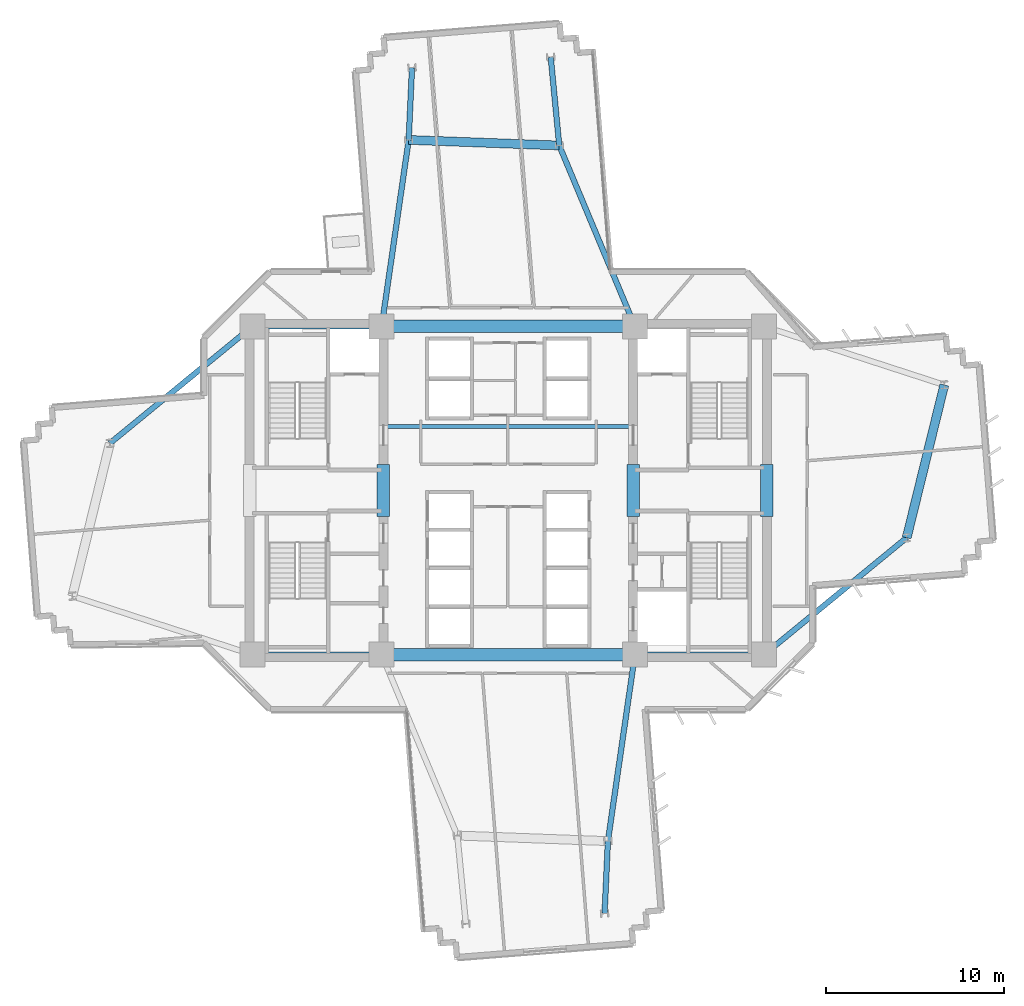
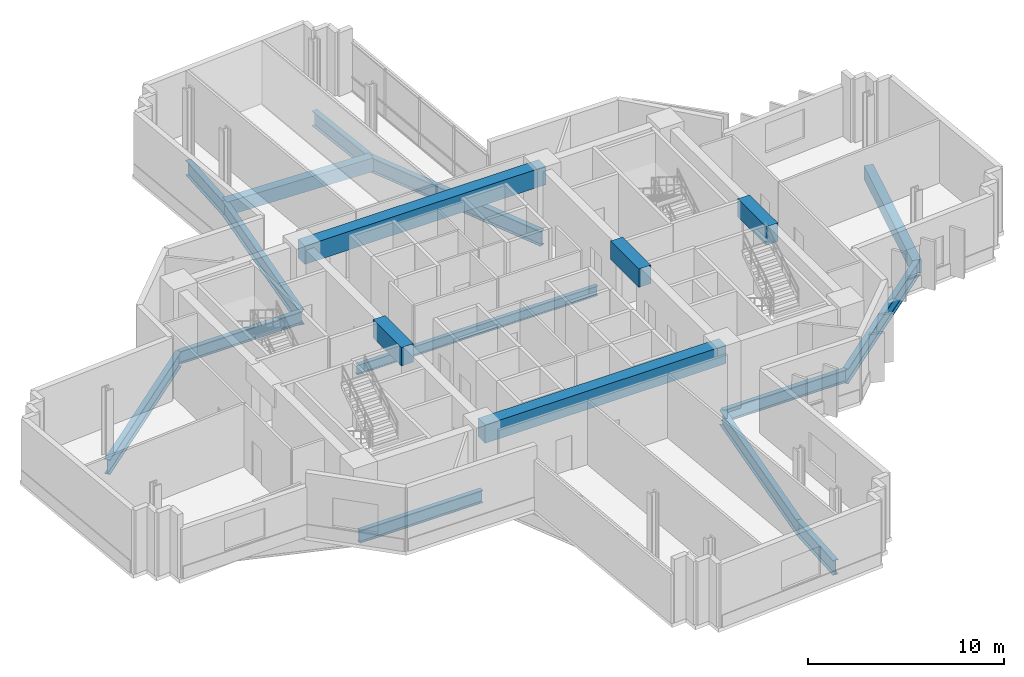
# One storey, part 3 of 15: 19 beams.
"""IFC4 building model written with IfcOpenShell, lengths in metres."""

from ifc_helpers import new_model, si_unit, direction, frame, origin, origin_2d, place, context, subcontext, project, spatial, rectangle, i_section, extrude, source, transform, mapped, material, material_profile, profile_set, type_object, element, save


model = new_model("IFC4")

# Units and contexts
model_context = context("Model", 3, precision=1e-05, world=origin(), true_north=direction((0.0, 1.0)))
body_context = subcontext(model_context, "Body", "Model", "MODEL_VIEW")
ifc_project = project(units=[si_unit("LENGTHUNIT", "METRE"), si_unit("AREAUNIT", "SQUARE_METRE"), si_unit("VOLUMEUNIT", "CUBIC_METRE"), si_unit("PLANEANGLEUNIT", "RADIAN"), si_unit("MASSUNIT", "GRAM", prefix="KILO")], contexts=[model_context])

# Site, building, storey
site_placement = place(None, origin())
site = spatial("IfcSite", under=ifc_project, at=site_placement, CompositionType="ELEMENT")
building_placement = place(site_placement, origin())
building = spatial("IfcBuilding", under=site, at=building_placement, Name="Zahravan Cultural Tower", CompositionType="ELEMENT")
storey_placement = place(building_placement, frame((0.0, 0.0, 87.89990234375)))
storey = spatial("IfcBuildingStorey", under=building, at=storey_placement, Name="L19", CompositionType="ELEMENT", Elevation=87.89990234375)

# Beams
ifc_material_1 = material(Name="Concrete C50/60", Category="concrete")
ifc_material_profile_1 = material_profile(ifc_material_1, rectangle(XDim=0.699951171875, YDim=1.14990234375, at=origin_2d()), Name="RC700X1150")
ifc_profile_set_1 = profile_set([ifc_material_profile_1], Name="Concrete C50/60")
beam_type_1 = type_object("IfcBeamType", Name="BM-LN-RC700X1150", PredefinedType="LINTEL", material=ifc_profile_set_1)
shared_shape_1 = source(origin(), body_context, "Body", "SweptSolid", [
    extrude(rectangle(XDim=0.699951171875, YDim=1.14990234375, at=origin_2d()), origin(), (0.0, 0.0, 1.0), 14.2001953125),
])
for number, where, z_axis, x_axis, name in (
    (1, (28.89990234375, 17.800048828125, 3.375), (1.0, 0.0, 0.0), (0.0, 1.0, 0.0), "L19 Beam LN-L19-S"),
    (2, (28.89990234375, 36.199951171875, 3.375), (1.0, 0.0, 0.0), (0.0, 1.0, 0.0), "L19 Beam LN-L19-N"),
):
    element("IfcBeam", number, at=place(storey_placement, frame(where, z_axis=z_axis, x_axis=x_axis)), inside=storey, type_object=beam_type_1, Name=name, PredefinedType="LINTEL", context=body_context, shape_type="MappedRepresentation", body=[
        mapped(shared_shape_1, transform((0.0, 0.0, 0.0), x_axis=(1.0, 0.0, 0.0), y_axis=(0.0, 1.0, 0.0), z_axis=(0.0, 0.0, 1.0), scale=1.0)),
    ])
shared_shape_2 = source(origin(), body_context, "Body", "SweptSolid", [
    extrude(rectangle(XDim=0.699951171875, YDim=1.14990234375, at=origin_2d()), origin(), (0.0, 0.0, 1.0), 2.89990234375),
])
for number, where, z_axis, x_axis, name in (
    (3, (29.0, 25.550048828125, 3.375), (0.0, 1.0, 0.0), (-1.0, 0.0, 0.0), "L19 Beam LN-L19-PWE"),
    (4, (43.0, 25.550048828125, 3.375), (0.0, 1.0, 0.0), (-1.0, 0.0, 0.0), "L19 Beam LN-L19-PEW"),
    (5, (50.5, 25.550048828125, 3.375), (0.0, 1.0, 0.0), (-1.0, 0.0, 0.0), "L19 Beam LN-L19-PEE"),
):
    element("IfcBeam", number, at=place(storey_placement, frame(where, z_axis=z_axis, x_axis=x_axis)), inside=storey, type_object=beam_type_1, Name=name, PredefinedType="LINTEL", context=body_context, shape_type="MappedRepresentation", body=[
        mapped(shared_shape_2, transform((0.0, 0.0, 0.0), x_axis=(1.0, 0.0, 0.0), y_axis=(0.0, 1.0, 0.0), z_axis=(0.0, 0.0, 1.0), scale=1.0)),
    ])
ifc_material_2 = material(Name="Steel ASTM A992 Grade 50", Category="steel")
ifc_material_profile_2 = material_profile(ifc_material_2, i_section(OverallWidth=0.26611328125, OverallDepth=0.780029296875, WebThickness=0.0166015625, FlangeThickness=0.030029296875, FilletRadius=0.01904296875, at=origin_2d()), Name="W30X148")
ifc_profile_set_2 = profile_set([ifc_material_profile_2], Name="Steel ASTM A992 Grade 50")
beam_type_2 = type_object("IfcBeamType", Name="BM-G-W30X148", PredefinedType="BEAM", material=ifc_profile_set_2)
shared_shape_3 = source(origin(), body_context, "Body", "SweptSolid", [
    extrude(i_section(OverallWidth=0.26611328125, OverallDepth=0.780029296875, WebThickness=0.0166015625, FlangeThickness=0.030029296875, FilletRadius=0.01904296875, at=origin_2d()), origin(), (0.0, 0.0, 1.0), 7.25),
])
for number, where, z_axis, x_axis, name in (
    (6, (21.64990234375, 17.800048828125, -0.639892578125), (1.0, 0.0, 0.0), (0.0, 1.0, 0.0), "L19 Beam BG-L19-01"),
    (7, (21.64990234375, 36.199951171875, -0.639892578125), (1.0, 0.0, 0.0), (0.0, 1.0, 0.0), "L19 Beam BG-L19-02"),
    (8, (43.10009765625, 17.800048828125, -0.639892578125), (1.0, 0.0, 0.0), (0.0, 1.0, 0.0), "L19 Beam BG-L19-04"),
):
    element("IfcBeam", number, at=place(storey_placement, frame(where, z_axis=z_axis, x_axis=x_axis)), inside=storey, type_object=beam_type_2, Name=name, PredefinedType="BEAM", context=body_context, shape_type="MappedRepresentation", body=[
        mapped(shared_shape_3, transform((0.0, 0.0, 0.0), x_axis=(1.0, 0.0, 0.0), y_axis=(0.0, 1.0, 0.0), z_axis=(0.0, 0.0, 1.0), scale=1.0)),
    ])
ifc_material_profile_3 = material_profile(ifc_material_2, i_section(OverallWidth=0.30908203125, OverallDepth=0.931884765625, WebThickness=0.02099609375, FlangeThickness=0.034423828125, FilletRadius=0.02392578125, at=origin_2d()), Name="W36X210")
ifc_profile_set_3 = profile_set([ifc_material_profile_3], Name="Steel ASTM A992 Grade 50")
beam_type_3 = type_object("IfcBeamType", Name="BM-G-W36X210", PredefinedType="BEAM", material=ifc_profile_set_3)
shared_shape_4 = source(origin(), body_context, "Body", "SweptSolid", [
    extrude(i_section(OverallWidth=0.30908203125, OverallDepth=0.931884765625, WebThickness=0.02099609375, FlangeThickness=0.034423828125, FilletRadius=0.02392578125, at=origin_2d()), origin(), (0.0, 0.0, 1.0), 10.997802734375),
])
beam_1_placement = place(storey_placement, frame((43.10009765625, 36.199951171875, -0.7158203125), z_axis=(-0.385775211449, 0.922592806297, 0.0), x_axis=(-0.922592806297, -0.385775211449, 0.0)))
element("IfcBeam", 9, at=beam_1_placement, inside=storey, type_object=beam_type_3, Name="L19 Beam BG-L19-12", PredefinedType="BEAM", context=body_context, shape_type="MappedRepresentation", body=[
    mapped(shared_shape_4, transform((0.0, 0.0, 0.0), x_axis=(1.0, 0.0, 0.0), y_axis=(0.0, 1.0, 0.0), z_axis=(0.0, 0.0, 1.0), scale=1.0)),
])
shared_shape_5 = source(origin(), body_context, "Body", "SweptSolid", [
    extrude(i_section(OverallWidth=0.30908203125, OverallDepth=0.931884765625, WebThickness=0.02099609375, FlangeThickness=0.034423828125, FilletRadius=0.02392578125, at=origin_2d()), origin(), (0.0, 0.0, 1.0), 10.5673828125),
])
for number, where, z_axis, x_axis, name in (
    (10, (43.10009765625, 17.800048828125, -0.7158203125), (-0.143377913539, -0.989668011966, 0.0), (0.989668011966, -0.143377913539, 0.0), "L19 Beam BG-L19-09"),
    (11, (28.89990234375, 36.199951171875, -0.7158203125), (0.143377913539, 0.989668011966, 0.0), (-0.989668011966, 0.143377913539, 0.0), "L19 Beam BG-L19-13"),
):
    element("IfcBeam", number, at=place(storey_placement, frame(where, z_axis=z_axis, x_axis=x_axis)), inside=storey, type_object=beam_type_3, Name=name, PredefinedType="BEAM", context=body_context, shape_type="MappedRepresentation", body=[
        mapped(shared_shape_5, transform((0.0, 0.0, 0.0), x_axis=(1.0, 0.0, 0.0), y_axis=(0.0, 1.0, 0.0), z_axis=(0.0, 0.0, 1.0), scale=1.0)),
    ])
shared_shape_6 = source(origin(), body_context, "Body", "SweptSolid", [
    extrude(i_section(OverallWidth=0.30908203125, OverallDepth=0.931884765625, WebThickness=0.02099609375, FlangeThickness=0.034423828125, FilletRadius=0.02392578125, at=origin_2d()), origin(), (0.0, 0.0, 1.0), 10.33203125),
])
for number, where, z_axis, x_axis, name in (
    (12, (50.35009765625, 17.800048828125, -0.7158203125), (0.773231409473, 0.634123952713, 0.0), (-0.634123952713, 0.773231409473, 0.0), "L19 Beam BG-L19-10"),
    (13, (21.64990234375, 36.199951171875, -0.7158203125), (-0.773231409473, -0.634123952713, 0.0), (0.634123952713, -0.773231409473, 0.0), "L19 Beam BG-L19-14"),
):
    element("IfcBeam", number, at=place(storey_placement, frame(where, z_axis=z_axis, x_axis=x_axis)), inside=storey, type_object=beam_type_3, Name=name, PredefinedType="BEAM", context=body_context, shape_type="MappedRepresentation", body=[
        mapped(shared_shape_6, transform((0.0, 0.0, 0.0), x_axis=(1.0, 0.0, 0.0), y_axis=(0.0, 1.0, 0.0), z_axis=(0.0, 0.0, 1.0), scale=1.0)),
    ])
shared_shape_7 = source(origin(), body_context, "Body", "SweptSolid", [
    extrude(i_section(OverallWidth=0.30908203125, OverallDepth=0.931884765625, WebThickness=0.02099609375, FlangeThickness=0.034423828125, FilletRadius=0.02392578125, at=origin_2d()), origin(), (0.0, 0.0, 1.0), 4.973876953125),
])
beam_2_placement = place(storey_placement, frame((38.857421875, 46.346435546875, -0.7158203125), z_axis=(-0.096154779131, 0.995366394073, 0.0), x_axis=(-0.995366394073, -0.096154779131, 0.0)))
element("IfcBeam", 14, at=beam_2_placement, inside=storey, type_object=beam_type_3, Name="L19 Beam BG-L19-15", PredefinedType="BEAM", context=body_context, shape_type="MappedRepresentation", body=[
    mapped(shared_shape_7, transform((0.0, 0.0, 0.0), x_axis=(1.0, 0.0, 0.0), y_axis=(0.0, 1.0, 0.0), z_axis=(0.0, 0.0, 1.0), scale=1.0)),
])
shared_shape_8 = source(origin(), body_context, "Body", "SweptSolid", [
    extrude(i_section(OverallWidth=0.30908203125, OverallDepth=0.931884765625, WebThickness=0.02099609375, FlangeThickness=0.034423828125, FilletRadius=0.02392578125, at=origin_2d()), origin(), (0.0, 0.0, 1.0), 4.0537109375),
])
for number, where, z_axis, x_axis, name in (
    (15, (30.4150390625, 46.658203125, -0.7158203125), (0.045770994677, 0.998951958828, 0.0), (-0.998951958828, 0.045770994677, 0.0), "L19 Beam BG-L19-16"),
    (16, (41.5849609375, 7.341796875, -0.7158203125), (-0.045770994677, -0.998951958828, 0.0), (0.998951958828, -0.045770994677, 0.0), "L19 Beam BG-L19-18"),
):
    element("IfcBeam", number, at=place(storey_placement, frame(where, z_axis=z_axis, x_axis=x_axis)), inside=storey, type_object=beam_type_3, Name=name, PredefinedType="BEAM", context=body_context, shape_type="MappedRepresentation", body=[
        mapped(shared_shape_8, transform((0.0, 0.0, 0.0), x_axis=(1.0, 0.0, 0.0), y_axis=(0.0, 1.0, 0.0), z_axis=(0.0, 0.0, 1.0), scale=1.0)),
    ])
ifc_material_profile_4 = material_profile(ifc_material_1, rectangle(XDim=0.5, YDim=0.85009765625, at=origin_2d()), Name="RC500X850")
ifc_profile_set_4 = profile_set([ifc_material_profile_4], Name="Concrete C50/60")
beam_type_4 = type_object("IfcBeamType", Name="BM-SP-RC500X850", PredefinedType="SPANDREL", material=ifc_profile_set_4)
shared_shape_9 = source(origin(), body_context, "Body", "SweptSolid", [
    extrude(rectangle(XDim=0.5, YDim=0.85009765625, at=origin_2d()), origin(), (0.0, 0.0, 1.0), 8.4482421875),
])
beam_3_placement = place(storey_placement, frame((38.857421875, 46.346435546875, -0.6748046875), z_axis=(-0.999318826256, 0.036903705643, 0.0), x_axis=(-0.036903705643, -0.999318826256, 0.0)))
element("IfcBeam", 17, at=beam_3_placement, inside=storey, type_object=beam_type_4, Name="L19 Beam SP-L19-21", PredefinedType="SPANDREL", context=body_context, shape_type="MappedRepresentation", body=[
    mapped(shared_shape_9, transform((0.0, 0.0, 0.0), x_axis=(1.0, 0.0, 0.0), y_axis=(0.0, 1.0, 0.0), z_axis=(0.0, 0.0, 1.0), scale=1.0)),
])
shared_shape_10 = source(origin(), body_context, "Body", "SweptSolid", [
    extrude(rectangle(XDim=0.5, YDim=0.85009765625, at=origin_2d()), origin(), (0.0, 0.0, 1.0), 8.8232421875),
])
beam_4_placement = place(storey_placement, frame((58.339111328125, 24.351806640625, -0.6748046875), z_axis=(0.238848860516, 0.971056755206, 0.0), x_axis=(-0.971056755206, 0.238848860516, 0.0)))
element("IfcBeam", 18, at=beam_4_placement, inside=storey, type_object=beam_type_4, Name="L19 Beam SP-L19-20", PredefinedType="SPANDREL", context=body_context, shape_type="MappedRepresentation", body=[
    mapped(shared_shape_10, transform((0.0, 0.0, 0.0), x_axis=(1.0, 0.0, 0.0), y_axis=(0.0, 1.0, 0.0), z_axis=(0.0, 0.0, 1.0), scale=1.0)),
])
ifc_material_profile_5 = material_profile(ifc_material_2, i_section(OverallWidth=0.22802734375, OverallDepth=0.60302734375, WebThickness=0.010498046875, FlangeThickness=0.014892578125, FilletRadius=0.014892578125, at=origin_2d()), Name="W24X68")
ifc_profile_set_5 = profile_set([ifc_material_profile_5], Name="Steel ASTM A992 Grade 50")
beam_type_5 = type_object("IfcBeamType", Name="BM-J-W24X68", PredefinedType="JOIST", material=ifc_profile_set_5)
shared_shape_11 = source(origin(), body_context, "Body", "SweptSolid", [
    extrude(i_section(OverallWidth=0.22802734375, OverallDepth=0.60302734375, WebThickness=0.010498046875, FlangeThickness=0.014892578125, FilletRadius=0.014892578125, at=origin_2d()), origin(), (0.0, 0.0, 1.0), 14.2001953125),
])
beam_5_placement = place(storey_placement, frame((28.89990234375, 30.60009765625, -0.551513671875), z_axis=(1.0, 0.0, 0.0), x_axis=(0.0, 1.0, 0.0)))
element("IfcBeam", 19, at=beam_5_placement, inside=storey, type_object=beam_type_5, Name="L19 Beam BJ-L19-23", PredefinedType="JOIST", context=body_context, shape_type="MappedRepresentation", body=[
    mapped(shared_shape_11, transform((0.0, 0.0, 0.0), x_axis=(1.0, 0.0, 0.0), y_axis=(0.0, 1.0, 0.0), z_axis=(0.0, 0.0, 1.0), scale=1.0)),
])

save(model, "model.ifc")
